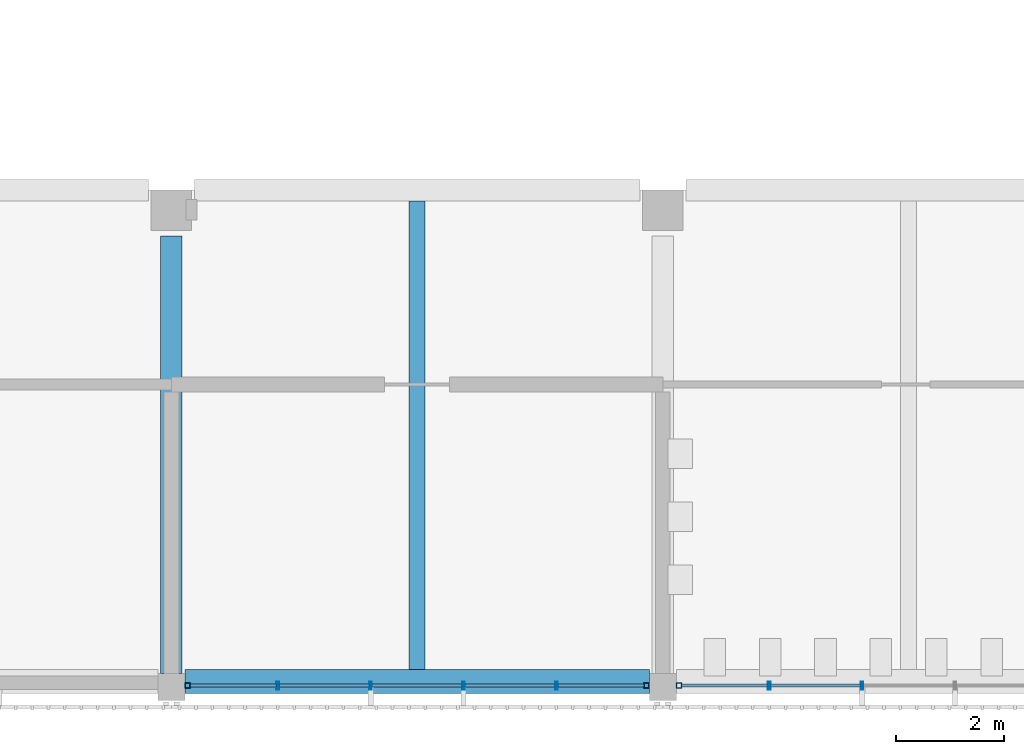
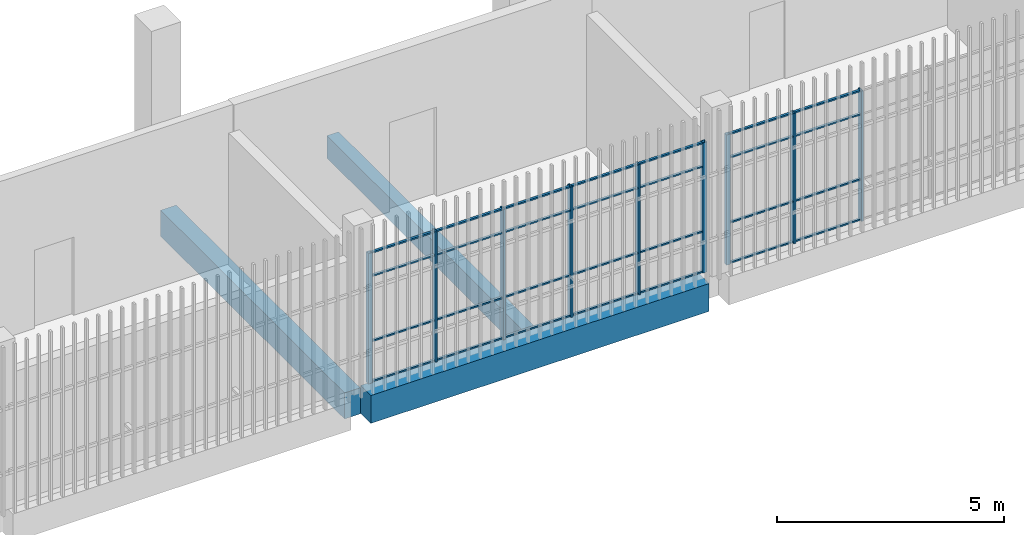
# One storey, part 21 of 124: 37 members, 3 beams, 2 elements without a shape of their own.
"""IFC4 building model written with IfcOpenShell, lengths in metres."""

from ifc_helpers import new_model, si_unit, direction, frame, origin, origin_2d, place, context, subcontext, project, spatial, rectangle, hollow_rectangle, extrude, material, layer, layer_set, material_profile, profile_set, type_object, element, aggregate, save


model = new_model("IFC4")

# Units and contexts
model_context = context("Model", 3, precision=1e-05, world=origin(), true_north=direction((0.0, 1.0)))
body_context = subcontext(model_context, "Body", "Model", "MODEL_VIEW")
ifc_project = project(units=[si_unit("LENGTHUNIT", "METRE"), si_unit("AREAUNIT", "SQUARE_METRE"), si_unit("VOLUMEUNIT", "CUBIC_METRE"), si_unit("PLANEANGLEUNIT", "RADIAN"), si_unit("MASSUNIT", "GRAM", prefix="KILO")], contexts=[model_context])

# Site, building, storey
site_placement = place(None, origin())
site = spatial("IfcSite", under=ifc_project, at=site_placement, CompositionType="ELEMENT")
building_placement = place(site_placement, origin())
building = spatial("IfcBuilding", under=site, at=building_placement, Name="Shirokan Park Arena", CompositionType="ELEMENT")
storey_placement = place(building_placement, frame((0.0, 0.0, 20.02001953125)))
storey = spatial("IfcBuildingStorey", under=building, at=storey_placement, Name="L04", CompositionType="ELEMENT", Elevation=20.02001953125)

# Curtain wall, members
ifc_material_1 = material(Name="Steel and glass curtain wall", Category="steel")
ifc_layer = layer(ifc_material_1, 0.14990234375)
ifc_layer_set = layer_set([ifc_layer], Name="Steel and glass curtain wall 150 mm")
curtain_wall_type = type_object("IfcCurtainWallType", Name="Curtain wall exposed bay 150", PredefinedType="NOTDEFINED", material=ifc_layer_set)
curtain_wall_1_placement = place(storey_placement, origin())
curtain_wall_1 = element("IfcCurtainWall", 1, at=curtain_wall_1_placement, inside=storey, type_object=curtain_wall_type, Name="Curtain wall south bay 8 L04", PredefinedType="NOTDEFINED")
ifc_material_2 = material(Name="Steel S355", Category="steel")
ifc_material_profile_1 = material_profile(ifc_material_2, hollow_rectangle(XDim=0.10009765625, YDim=0.10009765625, WallThickness=0.006103515625, at=origin_2d()), Name="RHS 100x100x6")
ifc_profile_set_1 = profile_set([ifc_material_profile_1], Name="Steel S355")
member_type_1 = type_object("IfcMemberType", Name="Mullion RHS 100x100x6", PredefinedType="MULLION", material=ifc_profile_set_1)
member_1_placement = place(storey_placement, frame((64.0, -0.074951171875, 0.0), z_axis=(0.0, 0.0, 1.0), x_axis=(0.0, 1.0, 0.0)))
member_1 = element("IfcMember", 2, at=member_1_placement, type_object=member_type_1, Name="CW1 mullion 1", PredefinedType="MULLION", context=body_context, shape_type="SweptSolid", body=[
    extrude(hollow_rectangle(XDim=0.10009765625, YDim=0.10009765625, WallThickness=0.006103515625, at=origin_2d()), origin(), (0.0, 0.0, 1.0), 3.5),
])
member_2_placement = place(storey_placement, frame((72.5, -0.074951171875, 0.0), z_axis=(0.0, 0.0, 1.0), x_axis=(0.0, 1.0, 0.0)))
member_2 = element("IfcMember", 3, at=member_2_placement, type_object=member_type_1, Name="CW1 mullion 6", PredefinedType="MULLION", context=body_context, shape_type="SweptSolid", body=[
    extrude(hollow_rectangle(XDim=0.10009765625, YDim=0.10009765625, WallThickness=0.006103515625, at=origin_2d()), origin(), (0.0, 0.0, 1.0), 3.5),
])

# Curtain wall, member
curtain_wall_2_placement = place(storey_placement, origin())
curtain_wall_2 = element("IfcCurtainWall", 4, at=curtain_wall_2_placement, inside=storey, type_object=curtain_wall_type, Name="Curtain wall south bay 9 L04", PredefinedType="NOTDEFINED")
member_3_placement = place(storey_placement, frame((73.10009765625, -0.074951171875, 0.0), z_axis=(0.0, 0.0, 1.0), x_axis=(0.0, 1.0, 0.0)))
member_3 = element("IfcMember", 5, at=member_3_placement, type_object=member_type_1, Name="CW1 mullion 1", PredefinedType="MULLION", context=body_context, shape_type="SweptSolid", body=[
    extrude(hollow_rectangle(XDim=0.10009765625, YDim=0.10009765625, WallThickness=0.006103515625, at=origin_2d()), origin(), (0.0, 0.0, 1.0), 3.5),
])

# Member
ifc_material_profile_2 = material_profile(ifc_material_2, hollow_rectangle(XDim=0.14990234375, YDim=0.050048828125, WallThickness=0.006103515625, at=origin_2d()), Name="RHS 150x50x6")
ifc_profile_set_2 = profile_set([ifc_material_profile_2], Name="Steel S355")
member_type_2 = type_object("IfcMemberType", Name="Mullion RHS 150x50x6", PredefinedType="MULLION", material=ifc_profile_set_2)
member_4_placement = place(storey_placement, frame((65.669921875, -0.074951171875, 0.0), z_axis=(0.0, 0.0, 1.0), x_axis=(0.0, 1.0, 0.0)))
member_4 = element("IfcMember", 6, at=member_4_placement, type_object=member_type_2, Name="CW1 mullion 2", PredefinedType="MULLION", context=body_context, shape_type="SweptSolid", body=[
    extrude(hollow_rectangle(XDim=0.14990234375, YDim=0.050048828125, WallThickness=0.006103515625, at=origin_2d()), origin(), (0.0, 0.0, 1.0), 3.5),
])

member_5_placement = place(storey_placement, frame((67.389892578125, -0.074951171875, 0.0), z_axis=(0.0, 0.0, 1.0), x_axis=(0.0, 1.0, 0.0)))
member_5 = element("IfcMember", 7, at=member_5_placement, type_object=member_type_2, Name="CW1 mullion 3", PredefinedType="MULLION", context=body_context, shape_type="SweptSolid", body=[
    extrude(hollow_rectangle(XDim=0.14990234375, YDim=0.050048828125, WallThickness=0.006103515625, at=origin_2d()), origin(), (0.0, 0.0, 1.0), 3.5),
])

member_6_placement = place(storey_placement, frame((69.110107421875, -0.074951171875, 0.0), z_axis=(0.0, 0.0, 1.0), x_axis=(0.0, 1.0, 0.0)))
member_6 = element("IfcMember", 8, at=member_6_placement, type_object=member_type_2, Name="CW1 mullion 4", PredefinedType="MULLION", context=body_context, shape_type="SweptSolid", body=[
    extrude(hollow_rectangle(XDim=0.14990234375, YDim=0.050048828125, WallThickness=0.006103515625, at=origin_2d()), origin(), (0.0, 0.0, 1.0), 3.5),
])

member_7_placement = place(storey_placement, frame((70.830078125, -0.074951171875, 0.0), z_axis=(0.0, 0.0, 1.0), x_axis=(0.0, 1.0, 0.0)))
member_7 = element("IfcMember", 9, at=member_7_placement, type_object=member_type_2, Name="CW1 mullion 5", PredefinedType="MULLION", context=body_context, shape_type="SweptSolid", body=[
    extrude(hollow_rectangle(XDim=0.14990234375, YDim=0.050048828125, WallThickness=0.006103515625, at=origin_2d()), origin(), (0.0, 0.0, 1.0), 3.5),
])

member_8_placement = place(storey_placement, frame((74.77001953125, -0.074951171875, 0.0), z_axis=(0.0, 0.0, 1.0), x_axis=(0.0, 1.0, 0.0)))
member_8 = element("IfcMember", 10, at=member_8_placement, type_object=member_type_2, Name="CW1 mullion 2", PredefinedType="MULLION", context=body_context, shape_type="SweptSolid", body=[
    extrude(hollow_rectangle(XDim=0.14990234375, YDim=0.050048828125, WallThickness=0.006103515625, at=origin_2d()), origin(), (0.0, 0.0, 1.0), 3.5),
])

member_9_placement = place(storey_placement, frame((76.489990234375, -0.074951171875, 0.0), z_axis=(0.0, 0.0, 1.0), x_axis=(0.0, 1.0, 0.0)))
member_9 = element("IfcMember", 11, at=member_9_placement, type_object=member_type_2, Name="CW1 mullion 3", PredefinedType="MULLION", context=body_context, shape_type="SweptSolid", body=[
    extrude(hollow_rectangle(XDim=0.14990234375, YDim=0.050048828125, WallThickness=0.006103515625, at=origin_2d()), origin(), (0.0, 0.0, 1.0), 3.5),
])

# Beams
ifc_material_3 = material(Name="Concrete C35", Category="concrete")
ifc_material_profile_3 = material_profile(ifc_material_3, rectangle(XDim=0.39990234375, YDim=0.699951171875, at=origin_2d()), Name="400x700")
ifc_profile_set_3 = profile_set([ifc_material_profile_3], Name="Concrete C35")
beam_type_1 = type_object("IfcBeamType", Name="RC girder 400x700", PredefinedType="BEAM", material=ifc_profile_set_3)
beam_1_placement = place(storey_placement, frame((63.699951171875, 0.150146484375, -0.60009765625), z_axis=(0.0, 1.0, 0.0), x_axis=(-1.0, 0.0, 0.0)))
element("IfcBeam", 12, at=beam_1_placement, inside=storey, type_object=beam_type_1, Name="Girder 8A-8B L04", PredefinedType="BEAM", context=body_context, shape_type="SweptSolid", body=[
    extrude(rectangle(XDim=0.39990234375, YDim=0.699951171875, at=origin_2d()), origin(), (0.0, 0.0, 1.0), 8.099853515625),
])
ifc_material_profile_4 = material_profile(ifc_material_3, rectangle(XDim=0.449951171875, YDim=0.75, at=origin_2d()), Name="450x750")
ifc_profile_set_4 = profile_set([ifc_material_profile_4], Name="Concrete C35")
beam_type_2 = type_object("IfcBeamType", Name="RC girder 450x750", PredefinedType="BEAM", material=ifc_profile_set_4)
beam_2_placement = place(storey_placement, frame((63.9501953125, 0.0, -0.625), z_axis=(1.0, 0.0, 0.0), x_axis=(0.0, 1.0, 0.0)))
element("IfcBeam", 13, at=beam_2_placement, inside=storey, type_object=beam_type_2, Name="Girder 8A-9A L04", PredefinedType="BEAM", context=body_context, shape_type="SweptSolid", body=[
    extrude(rectangle(XDim=0.449951171875, YDim=0.75, at=origin_2d()), origin(), (0.0, 0.0, 1.0), 8.599609375),
])
ifc_material_profile_5 = material_profile(ifc_material_3, rectangle(XDim=0.300048828125, YDim=0.60009765625, at=origin_2d()), Name="300x600")
ifc_profile_set_5 = profile_set([ifc_material_profile_5], Name="Concrete C35")
beam_type_3 = type_object("IfcBeamType", Name="RC joist 300x600", PredefinedType="JOIST", material=ifc_profile_set_5)
beam_3_placement = place(storey_placement, frame((68.25, 0.22509765625, -0.550048828125), z_axis=(0.0, 1.0, 0.0), x_axis=(-1.0, 0.0, 0.0)))
element("IfcBeam", 14, at=beam_3_placement, inside=storey, type_object=beam_type_3, Name="Joist 8A L04", PredefinedType="JOIST", context=body_context, shape_type="SweptSolid", body=[
    extrude(rectangle(XDim=0.300048828125, YDim=0.60009765625, at=origin_2d()), origin(), (0.0, 0.0, 1.0), 8.6748046875),
])

# Member
ifc_material_profile_6 = material_profile(ifc_material_2, hollow_rectangle(XDim=0.06005859375, YDim=0.0400390625, WallThickness=0.00390625, at=origin_2d()), Name="RHS 60x40x4")
ifc_profile_set_6 = profile_set([ifc_material_profile_6], Name="Steel S355")
member_type_3 = type_object("IfcMemberType", Name="Transom RHS 60x40x4", PredefinedType="MULLION", material=ifc_profile_set_6)
member_10_placement = place(storey_placement, frame((64.050048828125, -0.074951171875, 0.02001953125), z_axis=(1.0, 0.0, 0.0), x_axis=(0.0, 1.0, 0.0)))
member_10 = element("IfcMember", 15, at=member_10_placement, type_object=member_type_3, Name="CW1 transom 1.1", PredefinedType="MULLION", context=body_context, shape_type="SweptSolid", body=[
    extrude(hollow_rectangle(XDim=0.06005859375, YDim=0.0400390625, WallThickness=0.00390625, at=origin_2d()), origin(), (0.0, 0.0, 1.0), 1.594970703125),
])

member_11_placement = place(storey_placement, frame((64.050048828125, -0.074951171875, 1.10009765625), z_axis=(1.0, 0.0, 0.0), x_axis=(0.0, 1.0, 0.0)))
member_11 = element("IfcMember", 16, at=member_11_placement, type_object=member_type_3, Name="CW1 transom 1.2", PredefinedType="MULLION", context=body_context, shape_type="SweptSolid", body=[
    extrude(hollow_rectangle(XDim=0.06005859375, YDim=0.0400390625, WallThickness=0.00390625, at=origin_2d()), origin(), (0.0, 0.0, 1.0), 1.594970703125),
])

member_12_placement = place(storey_placement, frame((64.050048828125, -0.074951171875, 2.85009765625), z_axis=(1.0, 0.0, 0.0), x_axis=(0.0, 1.0, 0.0)))
member_12 = element("IfcMember", 17, at=member_12_placement, type_object=member_type_3, Name="CW1 transom 1.3", PredefinedType="MULLION", context=body_context, shape_type="SweptSolid", body=[
    extrude(hollow_rectangle(XDim=0.06005859375, YDim=0.0400390625, WallThickness=0.00390625, at=origin_2d()), origin(), (0.0, 0.0, 1.0), 1.594970703125),
])

member_13_placement = place(storey_placement, frame((64.050048828125, -0.074951171875, 3.47998046875), z_axis=(1.0, 0.0, 0.0), x_axis=(0.0, 1.0, 0.0)))
member_13 = element("IfcMember", 18, at=member_13_placement, type_object=member_type_3, Name="CW1 transom 1.4", PredefinedType="MULLION", context=body_context, shape_type="SweptSolid", body=[
    extrude(hollow_rectangle(XDim=0.06005859375, YDim=0.0400390625, WallThickness=0.00390625, at=origin_2d()), origin(), (0.0, 0.0, 1.0), 1.594970703125),
])

member_14_placement = place(storey_placement, frame((65.695068359375, -0.074951171875, 0.02001953125), z_axis=(1.0, 0.0, 0.0), x_axis=(0.0, 1.0, 0.0)))
member_14 = element("IfcMember", 19, at=member_14_placement, type_object=member_type_3, Name="CW1 transom 2.1", PredefinedType="MULLION", context=body_context, shape_type="SweptSolid", body=[
    extrude(hollow_rectangle(XDim=0.06005859375, YDim=0.0400390625, WallThickness=0.00390625, at=origin_2d()), origin(), (0.0, 0.0, 1.0), 1.669921875),
])

member_15_placement = place(storey_placement, frame((65.695068359375, -0.074951171875, 1.10009765625), z_axis=(1.0, 0.0, 0.0), x_axis=(0.0, 1.0, 0.0)))
member_15 = element("IfcMember", 20, at=member_15_placement, type_object=member_type_3, Name="CW1 transom 2.2", PredefinedType="MULLION", context=body_context, shape_type="SweptSolid", body=[
    extrude(hollow_rectangle(XDim=0.06005859375, YDim=0.0400390625, WallThickness=0.00390625, at=origin_2d()), origin(), (0.0, 0.0, 1.0), 1.669921875),
])

member_16_placement = place(storey_placement, frame((65.695068359375, -0.074951171875, 2.85009765625), z_axis=(1.0, 0.0, 0.0), x_axis=(0.0, 1.0, 0.0)))
member_16 = element("IfcMember", 21, at=member_16_placement, type_object=member_type_3, Name="CW1 transom 2.3", PredefinedType="MULLION", context=body_context, shape_type="SweptSolid", body=[
    extrude(hollow_rectangle(XDim=0.06005859375, YDim=0.0400390625, WallThickness=0.00390625, at=origin_2d()), origin(), (0.0, 0.0, 1.0), 1.669921875),
])

member_17_placement = place(storey_placement, frame((65.695068359375, -0.074951171875, 3.47998046875), z_axis=(1.0, 0.0, 0.0), x_axis=(0.0, 1.0, 0.0)))
member_17 = element("IfcMember", 22, at=member_17_placement, type_object=member_type_3, Name="CW1 transom 2.4", PredefinedType="MULLION", context=body_context, shape_type="SweptSolid", body=[
    extrude(hollow_rectangle(XDim=0.06005859375, YDim=0.0400390625, WallThickness=0.00390625, at=origin_2d()), origin(), (0.0, 0.0, 1.0), 1.669921875),
])

member_18_placement = place(storey_placement, frame((67.4150390625, -0.074951171875, 0.02001953125), z_axis=(1.0, 0.0, 0.0), x_axis=(0.0, 1.0, 0.0)))
member_18 = element("IfcMember", 23, at=member_18_placement, type_object=member_type_3, Name="CW1 transom 3.1", PredefinedType="MULLION", context=body_context, shape_type="SweptSolid", body=[
    extrude(hollow_rectangle(XDim=0.06005859375, YDim=0.0400390625, WallThickness=0.00390625, at=origin_2d()), origin(), (0.0, 0.0, 1.0), 1.669921875),
])

member_19_placement = place(storey_placement, frame((67.4150390625, -0.074951171875, 1.10009765625), z_axis=(1.0, 0.0, 0.0), x_axis=(0.0, 1.0, 0.0)))
member_19 = element("IfcMember", 24, at=member_19_placement, type_object=member_type_3, Name="CW1 transom 3.2", PredefinedType="MULLION", context=body_context, shape_type="SweptSolid", body=[
    extrude(hollow_rectangle(XDim=0.06005859375, YDim=0.0400390625, WallThickness=0.00390625, at=origin_2d()), origin(), (0.0, 0.0, 1.0), 1.669921875),
])

member_20_placement = place(storey_placement, frame((67.4150390625, -0.074951171875, 2.85009765625), z_axis=(1.0, 0.0, 0.0), x_axis=(0.0, 1.0, 0.0)))
member_20 = element("IfcMember", 25, at=member_20_placement, type_object=member_type_3, Name="CW1 transom 3.3", PredefinedType="MULLION", context=body_context, shape_type="SweptSolid", body=[
    extrude(hollow_rectangle(XDim=0.06005859375, YDim=0.0400390625, WallThickness=0.00390625, at=origin_2d()), origin(), (0.0, 0.0, 1.0), 1.669921875),
])

member_21_placement = place(storey_placement, frame((67.4150390625, -0.074951171875, 3.47998046875), z_axis=(1.0, 0.0, 0.0), x_axis=(0.0, 1.0, 0.0)))
member_21 = element("IfcMember", 26, at=member_21_placement, type_object=member_type_3, Name="CW1 transom 3.4", PredefinedType="MULLION", context=body_context, shape_type="SweptSolid", body=[
    extrude(hollow_rectangle(XDim=0.06005859375, YDim=0.0400390625, WallThickness=0.00390625, at=origin_2d()), origin(), (0.0, 0.0, 1.0), 1.669921875),
])

member_22_placement = place(storey_placement, frame((69.135009765625, -0.074951171875, 0.02001953125), z_axis=(1.0, 0.0, 0.0), x_axis=(0.0, 1.0, 0.0)))
member_22 = element("IfcMember", 27, at=member_22_placement, type_object=member_type_3, Name="CW1 transom 4.1", PredefinedType="MULLION", context=body_context, shape_type="SweptSolid", body=[
    extrude(hollow_rectangle(XDim=0.06005859375, YDim=0.0400390625, WallThickness=0.00390625, at=origin_2d()), origin(), (0.0, 0.0, 1.0), 1.669921875),
])

member_23_placement = place(storey_placement, frame((69.135009765625, -0.074951171875, 1.10009765625), z_axis=(1.0, 0.0, 0.0), x_axis=(0.0, 1.0, 0.0)))
member_23 = element("IfcMember", 28, at=member_23_placement, type_object=member_type_3, Name="CW1 transom 4.2", PredefinedType="MULLION", context=body_context, shape_type="SweptSolid", body=[
    extrude(hollow_rectangle(XDim=0.06005859375, YDim=0.0400390625, WallThickness=0.00390625, at=origin_2d()), origin(), (0.0, 0.0, 1.0), 1.669921875),
])

member_24_placement = place(storey_placement, frame((69.135009765625, -0.074951171875, 2.85009765625), z_axis=(1.0, 0.0, 0.0), x_axis=(0.0, 1.0, 0.0)))
member_24 = element("IfcMember", 29, at=member_24_placement, type_object=member_type_3, Name="CW1 transom 4.3", PredefinedType="MULLION", context=body_context, shape_type="SweptSolid", body=[
    extrude(hollow_rectangle(XDim=0.06005859375, YDim=0.0400390625, WallThickness=0.00390625, at=origin_2d()), origin(), (0.0, 0.0, 1.0), 1.669921875),
])

member_25_placement = place(storey_placement, frame((69.135009765625, -0.074951171875, 3.47998046875), z_axis=(1.0, 0.0, 0.0), x_axis=(0.0, 1.0, 0.0)))
member_25 = element("IfcMember", 30, at=member_25_placement, type_object=member_type_3, Name="CW1 transom 4.4", PredefinedType="MULLION", context=body_context, shape_type="SweptSolid", body=[
    extrude(hollow_rectangle(XDim=0.06005859375, YDim=0.0400390625, WallThickness=0.00390625, at=origin_2d()), origin(), (0.0, 0.0, 1.0), 1.669921875),
])

member_26_placement = place(storey_placement, frame((70.85498046875, -0.074951171875, 0.02001953125), z_axis=(1.0, 0.0, 0.0), x_axis=(0.0, 1.0, 0.0)))
member_26 = element("IfcMember", 31, at=member_26_placement, type_object=member_type_3, Name="CW1 transom 5.1", PredefinedType="MULLION", context=body_context, shape_type="SweptSolid", body=[
    extrude(hollow_rectangle(XDim=0.06005859375, YDim=0.0400390625, WallThickness=0.00390625, at=origin_2d()), origin(), (0.0, 0.0, 1.0), 1.594970703125),
])

member_27_placement = place(storey_placement, frame((70.85498046875, -0.074951171875, 1.10009765625), z_axis=(1.0, 0.0, 0.0), x_axis=(0.0, 1.0, 0.0)))
member_27 = element("IfcMember", 32, at=member_27_placement, type_object=member_type_3, Name="CW1 transom 5.2", PredefinedType="MULLION", context=body_context, shape_type="SweptSolid", body=[
    extrude(hollow_rectangle(XDim=0.06005859375, YDim=0.0400390625, WallThickness=0.00390625, at=origin_2d()), origin(), (0.0, 0.0, 1.0), 1.594970703125),
])

member_28_placement = place(storey_placement, frame((70.85498046875, -0.074951171875, 2.85009765625), z_axis=(1.0, 0.0, 0.0), x_axis=(0.0, 1.0, 0.0)))
member_28 = element("IfcMember", 33, at=member_28_placement, type_object=member_type_3, Name="CW1 transom 5.3", PredefinedType="MULLION", context=body_context, shape_type="SweptSolid", body=[
    extrude(hollow_rectangle(XDim=0.06005859375, YDim=0.0400390625, WallThickness=0.00390625, at=origin_2d()), origin(), (0.0, 0.0, 1.0), 1.594970703125),
])

member_29_placement = place(storey_placement, frame((70.85498046875, -0.074951171875, 3.47998046875), z_axis=(1.0, 0.0, 0.0), x_axis=(0.0, 1.0, 0.0)))
member_29 = element("IfcMember", 34, at=member_29_placement, type_object=member_type_3, Name="CW1 transom 5.4", PredefinedType="MULLION", context=body_context, shape_type="SweptSolid", body=[
    extrude(hollow_rectangle(XDim=0.06005859375, YDim=0.0400390625, WallThickness=0.00390625, at=origin_2d()), origin(), (0.0, 0.0, 1.0), 1.594970703125),
])

aggregate(curtain_wall_1, [member_1, member_4, member_5, member_6, member_7, member_2, member_10, member_11, member_12, member_13, member_14, member_15, member_16, member_17, member_18, member_19, member_20, member_21, member_22, member_23, member_24, member_25, member_26, member_27, member_28, member_29])

member_30_placement = place(storey_placement, frame((73.14990234375, -0.074951171875, 0.02001953125), z_axis=(1.0, 0.0, 0.0), x_axis=(0.0, 1.0, 0.0)))
member_30 = element("IfcMember", 35, at=member_30_placement, type_object=member_type_3, Name="CW1 transom 1.1", PredefinedType="MULLION", context=body_context, shape_type="SweptSolid", body=[
    extrude(hollow_rectangle(XDim=0.06005859375, YDim=0.0400390625, WallThickness=0.00390625, at=origin_2d()), origin(), (0.0, 0.0, 1.0), 1.59521484375),
])

member_31_placement = place(storey_placement, frame((73.14990234375, -0.074951171875, 1.10009765625), z_axis=(1.0, 0.0, 0.0), x_axis=(0.0, 1.0, 0.0)))
member_31 = element("IfcMember", 36, at=member_31_placement, type_object=member_type_3, Name="CW1 transom 1.2", PredefinedType="MULLION", context=body_context, shape_type="SweptSolid", body=[
    extrude(hollow_rectangle(XDim=0.06005859375, YDim=0.0400390625, WallThickness=0.00390625, at=origin_2d()), origin(), (0.0, 0.0, 1.0), 1.59521484375),
])

member_32_placement = place(storey_placement, frame((73.14990234375, -0.074951171875, 2.85009765625), z_axis=(1.0, 0.0, 0.0), x_axis=(0.0, 1.0, 0.0)))
member_32 = element("IfcMember", 37, at=member_32_placement, type_object=member_type_3, Name="CW1 transom 1.3", PredefinedType="MULLION", context=body_context, shape_type="SweptSolid", body=[
    extrude(hollow_rectangle(XDim=0.06005859375, YDim=0.0400390625, WallThickness=0.00390625, at=origin_2d()), origin(), (0.0, 0.0, 1.0), 1.59521484375),
])

member_33_placement = place(storey_placement, frame((73.14990234375, -0.074951171875, 3.47998046875), z_axis=(1.0, 0.0, 0.0), x_axis=(0.0, 1.0, 0.0)))
member_33 = element("IfcMember", 38, at=member_33_placement, type_object=member_type_3, Name="CW1 transom 1.4", PredefinedType="MULLION", context=body_context, shape_type="SweptSolid", body=[
    extrude(hollow_rectangle(XDim=0.06005859375, YDim=0.0400390625, WallThickness=0.00390625, at=origin_2d()), origin(), (0.0, 0.0, 1.0), 1.59521484375),
])

member_34_placement = place(storey_placement, frame((74.794921875, -0.074951171875, 0.02001953125), z_axis=(1.0, 0.0, 0.0), x_axis=(0.0, 1.0, 0.0)))
member_34 = element("IfcMember", 39, at=member_34_placement, type_object=member_type_3, Name="CW1 transom 2.1", PredefinedType="MULLION", context=body_context, shape_type="SweptSolid", body=[
    extrude(hollow_rectangle(XDim=0.06005859375, YDim=0.0400390625, WallThickness=0.00390625, at=origin_2d()), origin(), (0.0, 0.0, 1.0), 1.670166015625),
])

member_35_placement = place(storey_placement, frame((74.794921875, -0.074951171875, 1.10009765625), z_axis=(1.0, 0.0, 0.0), x_axis=(0.0, 1.0, 0.0)))
member_35 = element("IfcMember", 40, at=member_35_placement, type_object=member_type_3, Name="CW1 transom 2.2", PredefinedType="MULLION", context=body_context, shape_type="SweptSolid", body=[
    extrude(hollow_rectangle(XDim=0.06005859375, YDim=0.0400390625, WallThickness=0.00390625, at=origin_2d()), origin(), (0.0, 0.0, 1.0), 1.670166015625),
])

member_36_placement = place(storey_placement, frame((74.794921875, -0.074951171875, 2.85009765625), z_axis=(1.0, 0.0, 0.0), x_axis=(0.0, 1.0, 0.0)))
member_36 = element("IfcMember", 41, at=member_36_placement, type_object=member_type_3, Name="CW1 transom 2.3", PredefinedType="MULLION", context=body_context, shape_type="SweptSolid", body=[
    extrude(hollow_rectangle(XDim=0.06005859375, YDim=0.0400390625, WallThickness=0.00390625, at=origin_2d()), origin(), (0.0, 0.0, 1.0), 1.670166015625),
])

member_37_placement = place(storey_placement, frame((74.794921875, -0.074951171875, 3.47998046875), z_axis=(1.0, 0.0, 0.0), x_axis=(0.0, 1.0, 0.0)))
member_37 = element("IfcMember", 42, at=member_37_placement, type_object=member_type_3, Name="CW1 transom 2.4", PredefinedType="MULLION", context=body_context, shape_type="SweptSolid", body=[
    extrude(hollow_rectangle(XDim=0.06005859375, YDim=0.0400390625, WallThickness=0.00390625, at=origin_2d()), origin(), (0.0, 0.0, 1.0), 1.670166015625),
])

aggregate(curtain_wall_2, [member_3, member_8, member_9, member_30, member_31, member_32, member_33, member_34, member_35, member_36, member_37])

save(model, "model.ifc")
